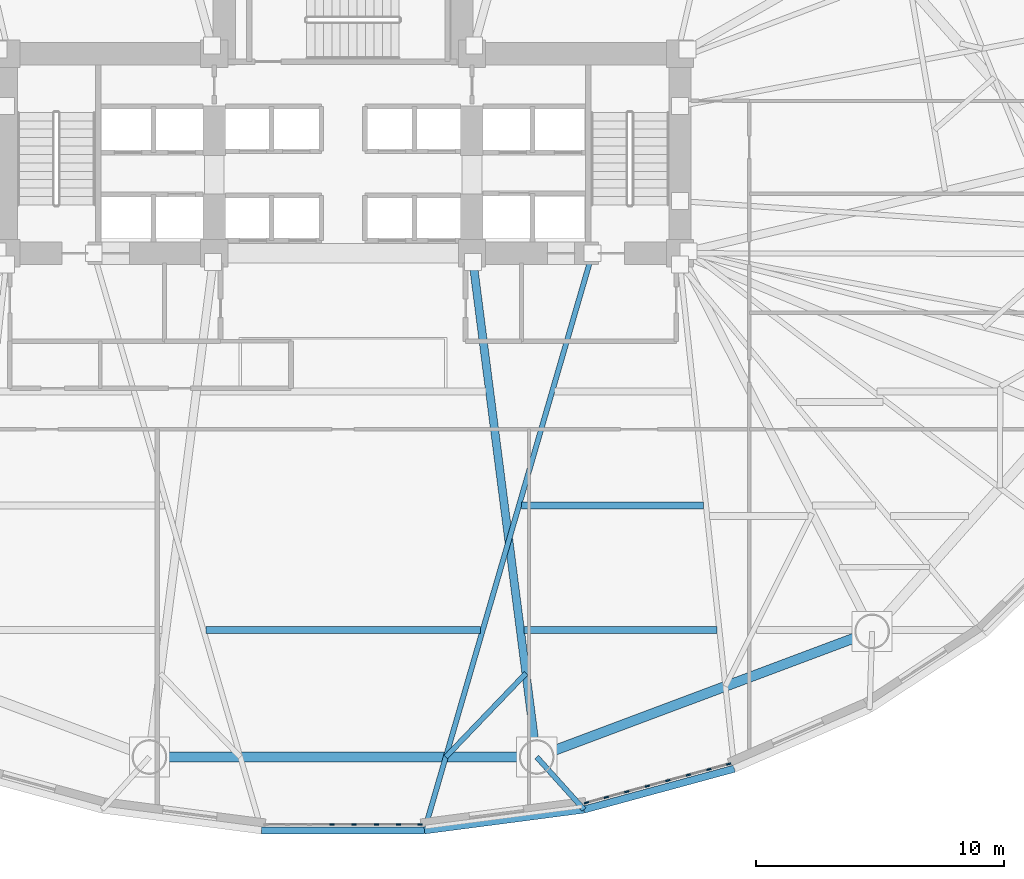
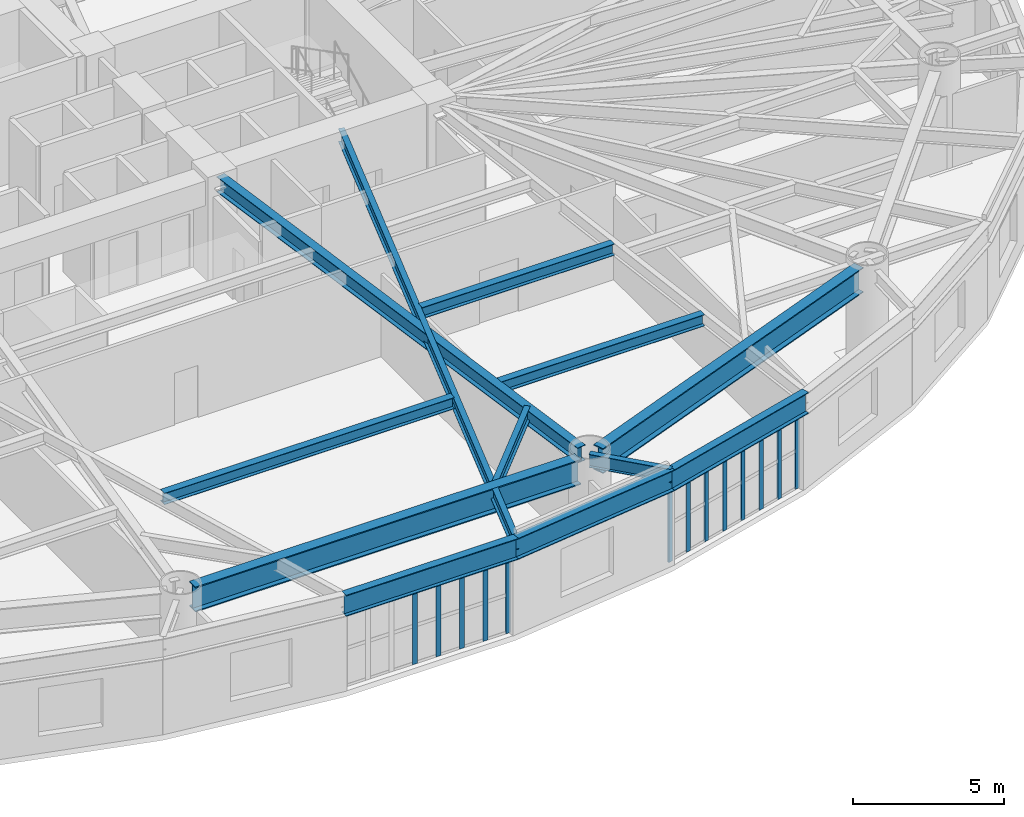
# One storey, part 4 of 18: 13 members, 12 beams, 2 elements without a shape of their own.
"""IFC4 building model written with IfcOpenShell, lengths in metres."""

from ifc_helpers import new_model, si_unit, direction, frame, origin, origin_2d, place, context, subcontext, project, spatial, rectangle, i_section, extrude, material, layer, layer_set, material_profile, profile_set, type_object, element, aggregate, save


model = new_model("IFC4")

# Units and contexts
model_context = context("Model", 3, precision=1e-05, world=origin(), true_north=direction((0.0, 1.0)))
body_context = subcontext(model_context, "Body", "Model", "MODEL_VIEW")
ifc_project = project(units=[si_unit("LENGTHUNIT", "METRE"), si_unit("AREAUNIT", "SQUARE_METRE"), si_unit("VOLUMEUNIT", "CUBIC_METRE"), si_unit("PLANEANGLEUNIT", "RADIAN"), si_unit("MASSUNIT", "GRAM", prefix="KILO")], contexts=[model_context])

# Site, building, storey
site_placement = place(None, origin())
site = spatial("IfcSite", under=ifc_project, at=site_placement, CompositionType="ELEMENT")
building_placement = place(site_placement, origin())
building = spatial("IfcBuilding", under=site, at=building_placement, Name="Keldmark Tower", CompositionType="ELEMENT")
storey_placement = place(building_placement, frame((0.0, 0.0, 6.0)))
storey = spatial("IfcBuildingStorey", under=building, at=storey_placement, Name="L01", CompositionType="ELEMENT", Elevation=6.0)

# Beams
ifc_material_1 = material(Name="Steel ASTM A992 Grade 50", Category="steel")
ifc_material_profile_1 = material_profile(ifc_material_1, i_section(OverallWidth=0.280029296875, OverallDepth=0.462890625, WebThickness=0.0107421875, FlangeThickness=0.017333984375, at=origin_2d()), Name="W18X76")
ifc_profile_set_1 = profile_set([ifc_material_profile_1], Name="Steel ASTM A992 Grade 50")
beam_type_1 = type_object("IfcBeamType", Name="Composite Floor Joist W18X76", PredefinedType="JOIST", material=ifc_profile_set_1)
beam_1_placement = place(storey_placement, frame((-5.53955078125, -13.800048828125, 3.74853515625), z_axis=(1.0, 0.0, 0.0), x_axis=(0.0, 1.0, 0.0)))
element("IfcBeam", 1, at=beam_1_placement, inside=storey, type_object=beam_type_1, Name="L01 Composite Floor Joist J03", PredefinedType="JOIST", context=body_context, shape_type="SweptSolid", body=[
    extrude(i_section(OverallWidth=0.280029296875, OverallDepth=0.462890625, WebThickness=0.0107421875, FlangeThickness=0.017333984375, at=origin_2d()), origin(), (0.0, 0.0, 1.0), 11.0791015625),
])
beam_2_placement = place(storey_placement, frame((7.311767578125, -13.800048828125, 3.74853515625), z_axis=(1.0, 0.0, 0.0), x_axis=(0.0, 1.0, 0.0)))
element("IfcBeam", 2, at=beam_2_placement, inside=storey, type_object=beam_type_1, Name="L01 Composite Floor Joist J04", PredefinedType="JOIST", context=body_context, shape_type="SweptSolid", body=[
    extrude(i_section(OverallWidth=0.280029296875, OverallDepth=0.462890625, WebThickness=0.0107421875, FlangeThickness=0.017333984375, at=origin_2d()), origin(), (0.0, 0.0, 1.0), 7.780029296875),
])
beam_3_placement = place(storey_placement, frame((7.201171875, -8.780029296875, 3.74853515625), z_axis=(1.0, 0.0, 0.0), x_axis=(0.0, 1.0, 0.0)))
element("IfcBeam", 3, at=beam_3_placement, inside=storey, type_object=beam_type_1, Name="L01 Composite Floor Joist J10", PredefinedType="JOIST", context=body_context, shape_type="SweptSolid", body=[
    extrude(i_section(OverallWidth=0.280029296875, OverallDepth=0.462890625, WebThickness=0.0107421875, FlangeThickness=0.017333984375, at=origin_2d()), origin(), (0.0, 0.0, 1.0), 7.35009765625),
])

# Curtain wall, members
ifc_material_2 = material(Name="Unitized Thermally Broken Aluminum and Triple Low-E Glazing", Category="aluminium")
ifc_layer = layer(ifc_material_2, 0.219970703125)
ifc_layer_set = layer_set([ifc_layer], Name="Unitized Thermally Broken Aluminum and Triple Low-E Glazing")
curtain_wall_type = type_object("IfcCurtainWallType", Name="Podium Wintergarden Curtain Wall System", PredefinedType="NOTDEFINED", material=ifc_layer_set)
curtain_wall_1_placement = place(storey_placement, origin())
curtain_wall_1 = element("IfcCurtainWall", 4, at=curtain_wall_1_placement, inside=storey, type_object=curtain_wall_type, Name="L01 Podium Wintergarden Curtain Wall System CW-L01-24", PredefinedType="NOTDEFINED")
ifc_material_3 = material(Name="Extruded Aluminum Alloy 6063-T6", Category="aluminium")
ifc_material_profile_2 = material_profile(ifc_material_3, rectangle(XDim=0.06005859375, YDim=0.179931640625, at=origin_2d()), Name="CWM60X180")
ifc_profile_set_2 = profile_set([ifc_material_profile_2], Name="Extruded Aluminum Alloy 6063-T6")
member_type = type_object("IfcMemberType", Name="Curtain Wall Structural Mullion 60x180", PredefinedType="MULLION", material=ifc_profile_set_2)
member_1_placement = place(storey_placement, frame((3.113525390625, -21.654052734375, 0.0), z_axis=(0.0, 0.0, 1.0), x_axis=(0.0, -1.0, 0.0)))
member_1 = element("IfcMember", 5, at=member_1_placement, type_object=member_type, Name="CW mullion 1", PredefinedType="MULLION", context=body_context, shape_type="SweptSolid", body=[
    extrude(rectangle(XDim=0.06005859375, YDim=0.179931640625, at=origin_2d()), origin(), (0.0, 0.0, 1.0), 3.10888671875),
])
member_2_placement = place(storey_placement, frame((2.245361328125, -21.654052734375, 0.0), z_axis=(0.0, 0.0, 1.0), x_axis=(0.0, -1.0, 0.0)))
member_2 = element("IfcMember", 6, at=member_2_placement, type_object=member_type, Name="CW mullion 2", PredefinedType="MULLION", context=body_context, shape_type="SweptSolid", body=[
    extrude(rectangle(XDim=0.06005859375, YDim=0.179931640625, at=origin_2d()), origin(), (0.0, 0.0, 1.0), 3.10888671875),
])
member_3_placement = place(storey_placement, frame((1.34716796875, -21.654052734375, 0.0), z_axis=(0.0, 0.0, 1.0), x_axis=(0.0, -1.0, 0.0)))
member_3 = element("IfcMember", 7, at=member_3_placement, type_object=member_type, Name="CW mullion 3", PredefinedType="MULLION", context=body_context, shape_type="SweptSolid", body=[
    extrude(rectangle(XDim=0.06005859375, YDim=0.179931640625, at=origin_2d()), origin(), (0.0, 0.0, 1.0), 3.10888671875),
])
member_4_placement = place(storey_placement, frame((0.448974609375, -21.654052734375, 0.0), z_axis=(0.0, 0.0, 1.0), x_axis=(0.0, -1.0, 0.0)))
member_4 = element("IfcMember", 8, at=member_4_placement, type_object=member_type, Name="CW mullion 4", PredefinedType="MULLION", context=body_context, shape_type="SweptSolid", body=[
    extrude(rectangle(XDim=0.06005859375, YDim=0.179931640625, at=origin_2d()), origin(), (0.0, 0.0, 1.0), 3.10888671875),
])
member_5_placement = place(storey_placement, frame((-0.448974609375, -21.654052734375, 0.0), z_axis=(0.0, 0.0, 1.0), x_axis=(0.0, -1.0, 0.0)))
member_5 = element("IfcMember", 9, at=member_5_placement, type_object=member_type, Name="CW mullion 5", PredefinedType="MULLION", context=body_context, shape_type="SweptSolid", body=[
    extrude(rectangle(XDim=0.06005859375, YDim=0.179931640625, at=origin_2d()), origin(), (0.0, 0.0, 1.0), 3.10888671875),
])
aggregate(curtain_wall_1, [member_1, member_2, member_3, member_4, member_5])

curtain_wall_2_placement = place(storey_placement, origin())
curtain_wall_2 = element("IfcCurtainWall", 10, at=curtain_wall_2_placement, inside=storey, type_object=curtain_wall_type, Name="L01 Podium Wintergarden Curtain Wall System CW-L01-26", PredefinedType="NOTDEFINED")
member_6_placement = place(storey_placement, frame((15.564697265625, -19.21533203125, 0.0), z_axis=(0.0, 0.0, 1.0), x_axis=(0.262493415157, -0.964933783738, 0.0)))
member_6 = element("IfcMember", 11, at=member_6_placement, type_object=member_type, Name="CW mullion 1", PredefinedType="MULLION", context=body_context, shape_type="SweptSolid", body=[
    extrude(rectangle(XDim=0.06005859375, YDim=0.179931640625, at=origin_2d()), origin(), (0.0, 0.0, 1.0), 3.10888671875),
])
member_7_placement = place(storey_placement, frame((14.765625, -19.4326171875, 0.0), z_axis=(0.0, 0.0, 1.0), x_axis=(0.262493415157, -0.964933783738, 0.0)))
member_7 = element("IfcMember", 12, at=member_7_placement, type_object=member_type, Name="CW mullion 2", PredefinedType="MULLION", context=body_context, shape_type="SweptSolid", body=[
    extrude(rectangle(XDim=0.06005859375, YDim=0.179931640625, at=origin_2d()), origin(), (0.0, 0.0, 1.0), 3.10888671875),
])
member_8_placement = place(storey_placement, frame((13.9375, -19.657958984375, 0.0), z_axis=(0.0, 0.0, 1.0), x_axis=(0.262493415157, -0.964933783738, 0.0)))
member_8 = element("IfcMember", 13, at=member_8_placement, type_object=member_type, Name="CW mullion 3", PredefinedType="MULLION", context=body_context, shape_type="SweptSolid", body=[
    extrude(rectangle(XDim=0.06005859375, YDim=0.179931640625, at=origin_2d()), origin(), (0.0, 0.0, 1.0), 3.10888671875),
])
member_9_placement = place(storey_placement, frame((13.109130859375, -19.88330078125, 0.0), z_axis=(0.0, 0.0, 1.0), x_axis=(0.262493415157, -0.964933783738, 0.0)))
member_9 = element("IfcMember", 14, at=member_9_placement, type_object=member_type, Name="CW mullion 4", PredefinedType="MULLION", context=body_context, shape_type="SweptSolid", body=[
    extrude(rectangle(XDim=0.06005859375, YDim=0.179931640625, at=origin_2d()), origin(), (0.0, 0.0, 1.0), 3.10888671875),
])
member_10_placement = place(storey_placement, frame((12.281005859375, -20.108642578125, 0.0), z_axis=(0.0, 0.0, 1.0), x_axis=(0.262493415157, -0.964933783738, 0.0)))
member_10 = element("IfcMember", 15, at=member_10_placement, type_object=member_type, Name="CW mullion 5", PredefinedType="MULLION", context=body_context, shape_type="SweptSolid", body=[
    extrude(rectangle(XDim=0.06005859375, YDim=0.179931640625, at=origin_2d()), origin(), (0.0, 0.0, 1.0), 3.10888671875),
])
member_11_placement = place(storey_placement, frame((11.452880859375, -20.333740234375, 0.0), z_axis=(0.0, 0.0, 1.0), x_axis=(0.262493415157, -0.964933783738, 0.0)))
member_11 = element("IfcMember", 16, at=member_11_placement, type_object=member_type, Name="CW mullion 6", PredefinedType="MULLION", context=body_context, shape_type="SweptSolid", body=[
    extrude(rectangle(XDim=0.06005859375, YDim=0.179931640625, at=origin_2d()), origin(), (0.0, 0.0, 1.0), 3.10888671875),
])
member_12_placement = place(storey_placement, frame((10.624755859375, -20.55908203125, 0.0), z_axis=(0.0, 0.0, 1.0), x_axis=(0.262493415157, -0.964933783738, 0.0)))
member_12 = element("IfcMember", 17, at=member_12_placement, type_object=member_type, Name="CW mullion 7", PredefinedType="MULLION", context=body_context, shape_type="SweptSolid", body=[
    extrude(rectangle(XDim=0.06005859375, YDim=0.179931640625, at=origin_2d()), origin(), (0.0, 0.0, 1.0), 3.10888671875),
])
member_13_placement = place(storey_placement, frame((9.825439453125, -20.776611328125, 0.0), z_axis=(0.0, 0.0, 1.0), x_axis=(0.262493415157, -0.964933783738, 0.0)))
member_13 = element("IfcMember", 18, at=member_13_placement, type_object=member_type, Name="CW mullion 8", PredefinedType="MULLION", context=body_context, shape_type="SweptSolid", body=[
    extrude(rectangle(XDim=0.06005859375, YDim=0.179931640625, at=origin_2d()), origin(), (0.0, 0.0, 1.0), 3.10888671875),
])
aggregate(curtain_wall_2, [member_6, member_7, member_8, member_9, member_10, member_11, member_12, member_13])

# Beams
ifc_material_4 = material(Name="Steel ASTM A992 Grade 50", Category="steel")
ifc_material_profile_3 = material_profile(ifc_material_4, i_section(OverallWidth=0.402099609375, OverallDepth=1.011962890625, WebThickness=0.023681640625, FlangeThickness=0.0419921875, at=origin_2d()), Name="W40X297")
ifc_profile_set_3 = profile_set([ifc_material_profile_3], Name="Steel ASTM A992 Grade 50")
beam_type_2 = type_object("IfcBeamType", Name="Podium Primary Girder W40X297", PredefinedType="BEAM", material=ifc_profile_set_3)
beam_4_placement = place(storey_placement, frame((-7.3662109375, -18.93212890625, 3.47412109375), z_axis=(1.0, 0.0, 0.0), x_axis=(0.0, 1.0, 0.0)))
element("IfcBeam", 19, at=beam_4_placement, inside=storey, type_object=beam_type_2, Name="L01 Podium Ring Girder PG-R09", PredefinedType="BEAM", context=body_context, shape_type="SweptSolid", body=[
    extrude(i_section(OverallWidth=0.402099609375, OverallDepth=1.011962890625, WebThickness=0.023681640625, FlangeThickness=0.0419921875, at=origin_2d()), origin(), (0.0, 0.0, 1.0), 14.732421875),
])
beam_5_placement = place(storey_placement, frame((8.23779296875, -18.774169921875, 3.47412109375), z_axis=(0.936417954382, 0.350886612329, 0.0), x_axis=(-0.350886612329, 0.936417954382, 0.0)))
element("IfcBeam", 20, at=beam_5_placement, inside=storey, type_object=beam_type_2, Name="L01 Podium Ring Girder PG-R10", PredefinedType="BEAM", context=body_context, shape_type="SweptSolid", body=[
    extrude(i_section(OverallWidth=0.402099609375, OverallDepth=1.011962890625, WebThickness=0.023681640625, FlangeThickness=0.0419921875, at=origin_2d()), origin(), (0.0, 0.0, 1.0), 13.557373046875),
])
ifc_material_5 = material(Name="Steel ASTM A992 Grade 50", Category="steel")
ifc_material_profile_4 = material_profile(ifc_material_5, i_section(OverallWidth=0.2099609375, OverallDepth=0.537109375, WebThickness=0.010986328125, FlangeThickness=0.017333984375, at=origin_2d()), Name="W21X68")
ifc_profile_set_4 = profile_set([ifc_material_profile_4], Name="Steel ASTM A992 Grade 50")
beam_type_3 = type_object("IfcBeamType", Name="Radial Tie Girder W21X68", PredefinedType="BEAM", material=ifc_profile_set_4)
beam_6_placement = place(storey_placement, frame((7.3818359375, -15.554931640625, 3.71142578125), z_axis=(-0.691861148653, -0.722030574826, 0.0), x_axis=(0.722030574826, -0.691861148653, 0.0)))
element("IfcBeam", 21, at=beam_6_placement, inside=storey, type_object=beam_type_3, Name="L01 Framing Pin Header PH-023", PredefinedType="BEAM", context=body_context, shape_type="SweptSolid", body=[
    extrude(i_section(OverallWidth=0.2099609375, OverallDepth=0.537109375, WebThickness=0.010986328125, FlangeThickness=0.017333984375, at=origin_2d()), origin(), (0.0, 0.0, 1.0), 4.67724609375),
])
beam_7_placement = place(storey_placement, frame((10.064208984375, 1.39990234375, 3.71142578125), z_axis=(-0.279485239176, -0.960149988847, 0.0), x_axis=(0.960149988847, -0.279485239176, 0.0)))
element("IfcBeam", 22, at=beam_7_placement, inside=storey, type_object=beam_type_3, Name="L01 Perimeter Radial Tie Girder RT-25", PredefinedType="BEAM", context=body_context, shape_type="SweptSolid", body=[
    extrude(i_section(OverallWidth=0.2099609375, OverallDepth=0.537109375, WebThickness=0.010986328125, FlangeThickness=0.017333984375, at=origin_2d()), origin(), (0.0, 0.0, 1.0), 24.2607421875),
])
beam_8_placement = place(storey_placement, frame((7.81640625, -18.93212890625, 3.71142578125), z_axis=(0.668898533975, -0.743353718795, 0.0), x_axis=(0.743353718795, 0.668898533975, 0.0)))
element("IfcBeam", 23, at=beam_8_placement, inside=storey, type_object=beam_type_3, Name="L01 Perimeter Column Bracket RT-26", PredefinedType="BEAM", context=body_context, shape_type="SweptSolid", body=[
    extrude(i_section(OverallWidth=0.2099609375, OverallDepth=0.537109375, WebThickness=0.010986328125, FlangeThickness=0.017333984375, at=origin_2d()), origin(), (0.0, 0.0, 1.0), 2.852783203125),
])
ifc_material_6 = material(Name="Steel ASTM A992 Grade 50", Category="steel")
ifc_material_profile_5 = material_profile(ifc_material_6, i_section(OverallWidth=0.326904296875, OverallDepth=0.6220703125, WebThickness=0.015380859375, FlangeThickness=0.0244140625, at=origin_2d()), Name="W24X131")
ifc_profile_set_5 = profile_set([ifc_material_profile_5], Name="Steel ASTM A992 Grade 50")
beam_type_4 = type_object("IfcBeamType", Name="Spandrel Ring Beam W24X131", PredefinedType="SPANDREL", material=ifc_profile_set_5)
beam_9_placement = place(storey_placement, frame((7.7587890625, -18.48583984375, 3.6689453125), z_axis=(-0.127622930912, 0.991822760127, 0.0), x_axis=(-0.991822760127, -0.127622930912, 0.0)))
element("IfcBeam", 24, at=beam_9_placement, inside=storey, type_object=beam_type_4, Name="L01 Podium Radial Girder PG-C10", PredefinedType="SPANDREL", context=body_context, shape_type="SweptSolid", body=[
    extrude(i_section(OverallWidth=0.326904296875, OverallDepth=0.6220703125, WebThickness=0.015380859375, FlangeThickness=0.0244140625, at=origin_2d()), origin(), (0.0, 0.0, 1.0), 19.699951171875),
])
ifc_material_7 = material(Name="Steel ASTM A992 Grade 50", Category="steel")
ifc_material_profile_6 = material_profile(ifc_material_7, i_section(OverallWidth=0.2919921875, OverallDepth=0.85888671875, WebThickness=0.01708984375, FlangeThickness=0.031005859375, at=origin_2d()), Name="W33X169")
ifc_profile_set_6 = profile_set([ifc_material_profile_6], Name="Steel ASTM A992 Grade 50")
beam_type_5 = type_object("IfcBeamType", Name="Spandrel Ring Beam W33X169", PredefinedType="SPANDREL", material=ifc_profile_set_6)
beam_10_placement = place(storey_placement, frame((-3.28369140625, -21.89404296875, 3.550537109375), z_axis=(1.0, 0.0, 0.0), x_axis=(0.0, 1.0, 0.0)))
element("IfcBeam", 25, at=beam_10_placement, inside=storey, type_object=beam_type_5, Name="L01 Perimeter Spandrel Ring Beam SRB-24", PredefinedType="SPANDREL", context=body_context, shape_type="SweptSolid", body=[
    extrude(i_section(OverallWidth=0.2919921875, OverallDepth=0.85888671875, WebThickness=0.01708984375, FlangeThickness=0.031005859375, at=origin_2d()), origin(), (0.0, 0.0, 1.0), 6.5673828125),
])
beam_11_placement = place(storey_placement, frame((3.28369140625, -21.89404296875, 3.550537109375), z_axis=(0.991576921472, 0.129519144545, 0.0), x_axis=(-0.129519144545, 0.991576921472, 0.0)))
element("IfcBeam", 26, at=beam_11_placement, inside=storey, type_object=beam_type_5, Name="L01 Perimeter Spandrel Ring Beam SRB-25", PredefinedType="SPANDREL", context=body_context, shape_type="SweptSolid", body=[
    extrude(i_section(OverallWidth=0.2919921875, OverallDepth=0.85888671875, WebThickness=0.01708984375, FlangeThickness=0.031005859375, at=origin_2d()), origin(), (0.0, 0.0, 1.0), 6.49560546875),
])
beam_12_placement = place(storey_placement, frame((9.724609375, -21.052734375, 3.550537109375), z_axis=(0.964936550718, 0.262483243445, 0.0), x_axis=(-0.262483243445, 0.964936550718, 0.0)))
element("IfcBeam", 27, at=beam_12_placement, inside=storey, type_object=beam_type_5, Name="L01 Perimeter Spandrel Ring Beam SRB-26", PredefinedType="SPANDREL", context=body_context, shape_type="SweptSolid", body=[
    extrude(i_section(OverallWidth=0.2919921875, OverallDepth=0.85888671875, WebThickness=0.01708984375, FlangeThickness=0.031005859375, at=origin_2d()), origin(), (0.0, 0.0, 1.0), 6.28759765625),
])

save(model, "model.ifc")
